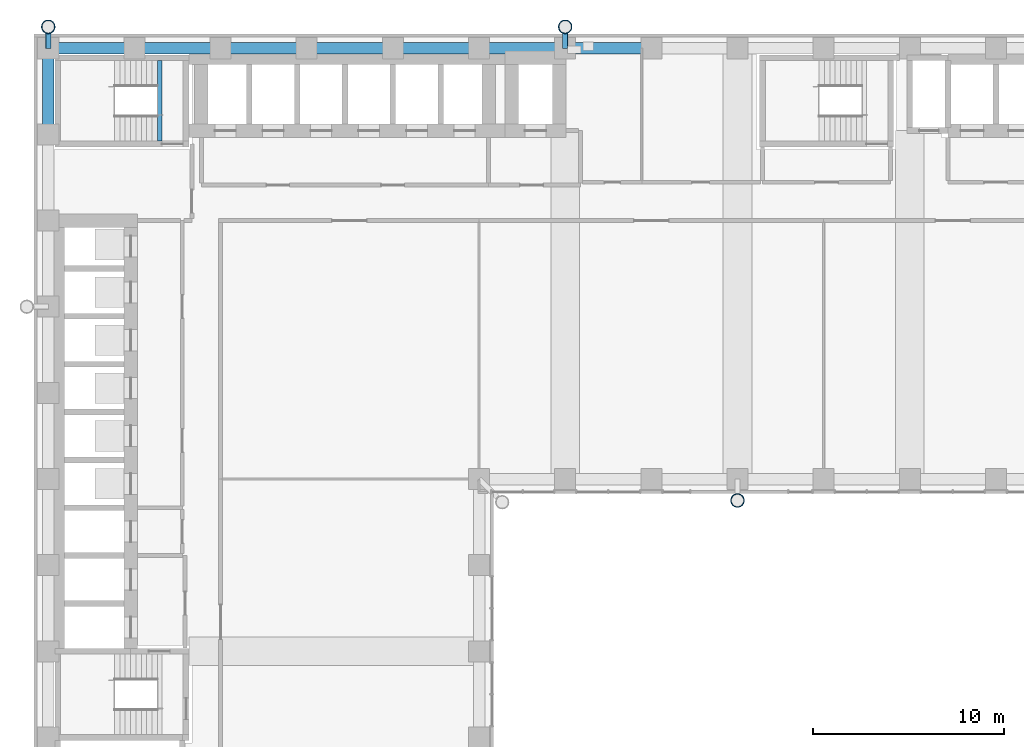
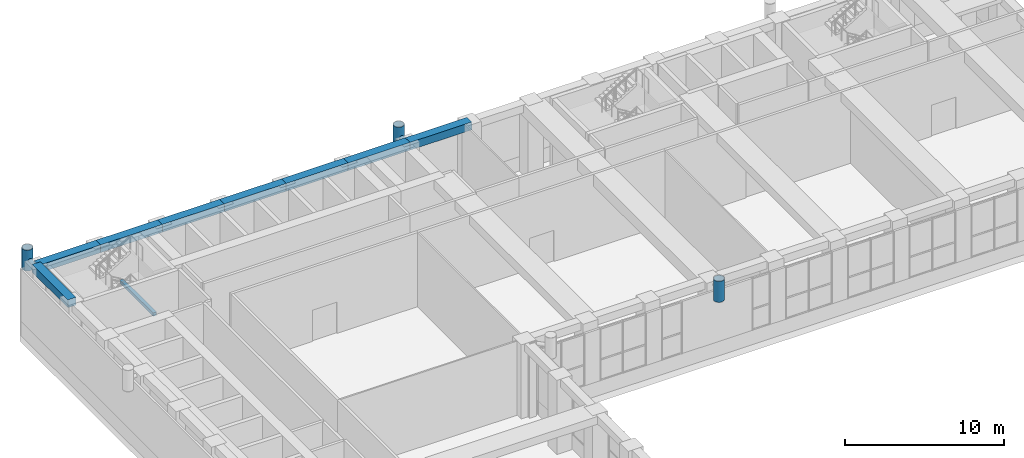
# One storey, part 5 of 22: 9 beams, 5 members.
"""IFC4 building model written with IfcOpenShell, lengths in metres."""

from ifc_helpers import new_model, si_unit, direction, frame, origin, origin_2d, place, context, subcontext, project, spatial, rectangle, hollow_circle, extrude, material, material_profile, profile_set, type_object, element, save


model = new_model("IFC4")

# Units and contexts
model_context = context("Model", 3, precision=1e-05, world=origin(), true_north=direction((0.0, 1.0)))
body_context = subcontext(model_context, "Body", "Model", "MODEL_VIEW")
ifc_project = project(units=[si_unit("LENGTHUNIT", "METRE"), si_unit("AREAUNIT", "SQUARE_METRE"), si_unit("VOLUMEUNIT", "CUBIC_METRE"), si_unit("PLANEANGLEUNIT", "RADIAN"), si_unit("MASSUNIT", "GRAM", prefix="KILO")], contexts=[model_context])

# Site, building, storey
site_placement = place(None, origin())
site = spatial("IfcSite", under=ifc_project, at=site_placement, CompositionType="ELEMENT")
building_placement = place(site_placement, origin())
building = spatial("IfcBuilding", under=site, at=building_placement, Name="Firuza Court", CompositionType="ELEMENT")
storey_placement = place(building_placement, frame((0.0, 0.0, 113.60009765625)))
storey = spatial("IfcBuildingStorey", under=building, at=storey_placement, Name="L28", CompositionType="ELEMENT", Elevation=113.60009765625)

# Members
ifc_material_1 = material(Name="Steel S355", Category="steel")
ifc_material_profile_1 = material_profile(ifc_material_1, hollow_circle(Radius=0.35546875, WallThickness=0.030029296875, at=origin_2d()), Name="CHS 711x30")
ifc_profile_set_1 = profile_set([ifc_material_profile_1], Name="Steel S355")
member_type_1 = type_object("IfcMemberType", Name="Diagrid node CHS 711x30 S355", PredefinedType="USERDEFINED", material=ifc_profile_set_1)
for number, where, z_axis, x_axis, name in (
    (1, (0.0, 59.6201171875, 4.64990234375), (0.0, 0.0, 1.0), (1.0, 0.0, 0.0), "Diagrid node level L28"),
    (2, (27.0, 59.6201171875, 4.64990234375), (0.0, 0.0, 1.0), (1.0, 0.0, 0.0), "Diagrid node level L28"),
    (3, (36.0, 34.8798828125, 4.64990234375), (0.0, 0.0, 1.0), (1.0, 0.0, 0.0), "Diagrid node level L28"),
):
    element("IfcMember", number, at=place(storey_placement, frame(where, z_axis=z_axis, x_axis=x_axis)), inside=storey, type_object=member_type_1, Name=name, ObjectType="DIAGRID NODE", PredefinedType="USERDEFINED", context=body_context, shape_type="SweptSolid", body=[
        extrude(hollow_circle(Radius=0.35546875, WallThickness=0.030029296875, at=origin_2d()), origin(), (0.0, 0.0, 1.0), 1.60009765625),
    ])
ifc_material_2 = material(Name="Steel S355", Category="steel")
ifc_material_profile_2 = material_profile(ifc_material_2, hollow_circle(Radius=0.136474609375, WallThickness=0.012451171875, at=origin_2d()), Name="CHS 273x12.5")
ifc_profile_set_2 = profile_set([ifc_material_profile_2], Name="Steel S355")
member_type_2 = type_object("IfcMemberType", Name="Diagrid tie CHS 273x12.5 S355", PredefinedType="STRUT", material=ifc_profile_set_2)
for number, where, z_axis, x_axis, name in (
    (4, (0.0, 58.5, 5.449951171875), (0.0, 1.0, 0.0), (-1.0, 0.0, 0.0), "Diagrid tie level L29"),
    (5, (27.0, 58.5, 5.449951171875), (0.0, 1.0, 0.0), (-1.0, 0.0, 0.0), "Diagrid tie level L29"),
):
    element("IfcMember", number, at=place(storey_placement, frame(where, z_axis=z_axis, x_axis=x_axis)), inside=storey, type_object=member_type_2, Name=name, PredefinedType="STRUT", context=body_context, shape_type="SweptSolid", body=[
        extrude(hollow_circle(Radius=0.136474609375, WallThickness=0.012451171875, at=origin_2d()), origin(), (0.0, 0.0, 1.0), 1.1201171875),
    ])

# Beams
ifc_material_3 = material(Name="Concrete C40/50", Category="concrete")
ifc_material_profile_3 = material_profile(ifc_material_3, rectangle(XDim=0.25, YDim=0.25, at=origin_2d()), Name="RC 250x250")
ifc_profile_set_3 = profile_set([ifc_material_profile_3], Name="Concrete C40/50")
beam_type_1 = type_object("IfcBeamType", Name="Landing beam RC 250x250 C40/50", PredefinedType="BEAM", material=ifc_profile_set_3)
beam_placement = place(storey_placement, frame((5.824951171875, 53.64990234375, 2.6748046875), z_axis=(0.0, 1.0, 0.0), x_axis=(-1.0, 0.0, 0.0)))
element("IfcBeam", 6, at=beam_placement, inside=storey, type_object=beam_type_1, Name="Landing beam S3 L28", PredefinedType="BEAM", context=body_context, shape_type="SweptSolid", body=[
    extrude(rectangle(XDim=0.25, YDim=0.25, at=origin_2d()), origin(), (0.0, 0.0, 1.0), 4.2001953125),
])
ifc_material_4 = material(Name="Concrete C40/50", Category="concrete")
ifc_material_profile_4 = material_profile(ifc_material_4, rectangle(XDim=0.60009765625, YDim=0.60009765625, at=origin_2d()), Name="RC 600x600")
ifc_profile_set_4 = profile_set([ifc_material_profile_4], Name="Concrete C40/50")
beam_type_2 = type_object("IfcBeamType", Name="Spandrel beam RC 600x600 C40/50", PredefinedType="BEAM", material=ifc_profile_set_4)
for number, where, z_axis, x_axis, name in (
    (7, (0.0, 58.5, 5.39990234375), (0.0, -1.0, 0.0), (1.0, 0.0, 0.0), "Spandrel beam SP11 level L29"),
    (8, (4.5, 58.5, 5.39990234375), (-1.0, 0.0, 0.0), (0.0, -1.0, 0.0), "Spandrel beam SP11 level L29"),
    (9, (9.0, 58.5, 5.39990234375), (-1.0, 0.0, 0.0), (0.0, -1.0, 0.0), "Spandrel beam SP11 level L29"),
    (10, (13.5, 58.5, 5.39990234375), (-1.0, 0.0, 0.0), (0.0, -1.0, 0.0), "Spandrel beam SP11 level L29"),
    (11, (18.0, 58.5, 5.39990234375), (-1.0, 0.0, 0.0), (0.0, -1.0, 0.0), "Spandrel beam SP11 level L29"),
    (12, (22.5, 58.5, 5.39990234375), (-1.0, 0.0, 0.0), (0.0, -1.0, 0.0), "Spandrel beam SP11 level L29"),
    (13, (27.0, 58.5, 5.39990234375), (-1.0, 0.0, 0.0), (0.0, -1.0, 0.0), "Spandrel beam SP11 level L29"),
    (14, (31.5, 58.5, 5.39990234375), (-1.0, 0.0, 0.0), (0.0, -1.0, 0.0), "Spandrel beam SP11 level L29"),
):
    element("IfcBeam", number, at=place(storey_placement, frame(where, z_axis=z_axis, x_axis=x_axis)), inside=storey, type_object=beam_type_2, Name=name, PredefinedType="BEAM", context=body_context, shape_type="SweptSolid", body=[
        extrude(rectangle(XDim=0.60009765625, YDim=0.60009765625, at=origin_2d()), origin(), (0.0, 0.0, 1.0), 4.5),
    ])

save(model, "model.ifc")
